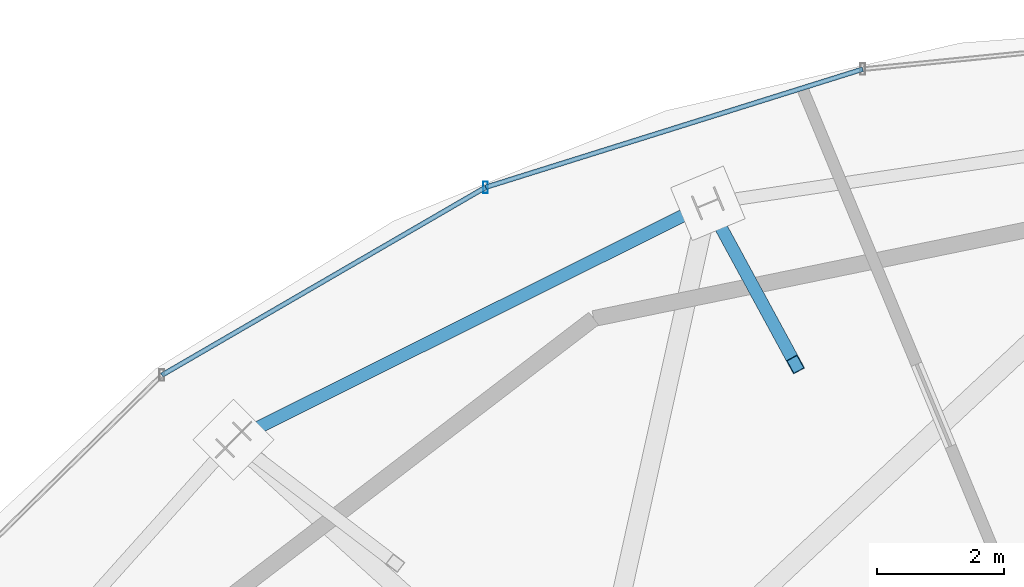
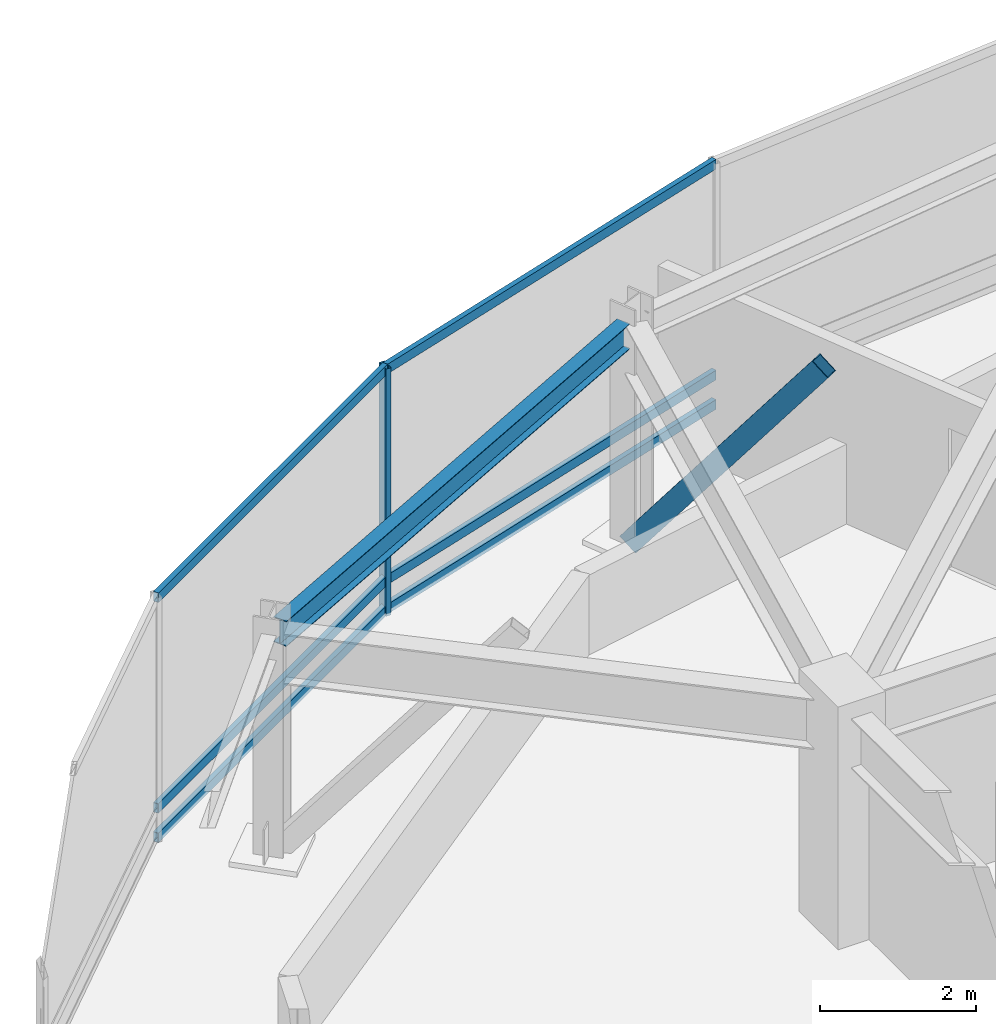
# One storey, part 18 of 28: 8 members, 1 beam, 1 element without a shape of its own.
"""IFC4 building model written with IfcOpenShell, lengths in metres."""

from ifc_helpers import new_model, si_unit, direction, frame, origin, origin_2d, place, context, subcontext, project, spatial, hollow_rectangle, i_section, extrude, material, material_profile, profile_set, type_object, element, aggregate, save


model = new_model("IFC4")

# Units and contexts
model_context = context("Model", 3, precision=1e-05, world=origin(), true_north=direction((0.0, 1.0)))
body_context = subcontext(model_context, "Body", "Model", "MODEL_VIEW")
ifc_project = project(units=[si_unit("LENGTHUNIT", "METRE"), si_unit("AREAUNIT", "SQUARE_METRE"), si_unit("VOLUMEUNIT", "CUBIC_METRE"), si_unit("PLANEANGLEUNIT", "RADIAN"), si_unit("MASSUNIT", "GRAM", prefix="KILO")], contexts=[model_context])

# Site, building, storey
site_placement = place(None, origin())
site = spatial("IfcSite", under=ifc_project, at=site_placement, CompositionType="ELEMENT")
building_placement = place(site_placement, origin())
building = spatial("IfcBuilding", under=site, at=building_placement, Name="Vorneva Point Tower", CompositionType="ELEMENT")
storey_placement = place(building_placement, frame((0.0, 0.0, 295.39990234375)))
storey = spatial("IfcBuildingStorey", under=building, at=storey_placement, Name="C01", CompositionType="ELEMENT", Elevation=295.39990234375)

# Beam
ifc_material_1 = material(Name="Steel S355", Category="steel")
ifc_material_profile_1 = material_profile(ifc_material_1, i_section(OverallWidth=0.198974609375, OverallDepth=0.39599609375, WebThickness=0.007080078125, FlangeThickness=0.010986328125, at=origin_2d()), Name="40B1")
ifc_profile_set_1 = profile_set([ifc_material_profile_1], Name="Steel S355")
beam_type = type_object("IfcBeamType", Name="BM-SPN-40B1", PredefinedType="SPANDREL", material=ifc_profile_set_1)
beam_placement = place(storey_placement, frame((29.013427734375, 41.80810546875, 3.35205078125), z_axis=(-0.894921902151, -0.446222802029, 0.0), x_axis=(0.446222802029, -0.894921902151, 0.0)))
element("IfcBeam", 1, at=beam_placement, inside=storey, type_object=beam_type, Name="C01 Perimeter Spandrel Ring Beam 06", PredefinedType="SPANDREL", context=body_context, shape_type="SweptSolid", body=[
    extrude(i_section(OverallWidth=0.198974609375, OverallDepth=0.39599609375, WebThickness=0.007080078125, FlangeThickness=0.010986328125, at=origin_2d()), origin(), (0.0, 0.0, 1.0), 7.98583984375),
])

# Curtain wall, members
ifc_material_2 = material(Name="Pale anodised aluminium", Category="aluminium")
curtain_wall_type = type_object("IfcCurtainWallType", Name="CW-CRN-SYS", PredefinedType="NOTDEFINED", material=ifc_material_2)
curtain_wall_placement = place(storey_placement, origin())
curtain_wall = element("IfcCurtainWall", 2, at=curtain_wall_placement, inside=storey, type_object=curtain_wall_type, Name="C01 Unitised Curtain Wall CW-C01-Q2", PredefinedType="NOTDEFINED")
ifc_material_profile_2 = material_profile(ifc_material_2, hollow_rectangle(XDim=0.074951171875, YDim=0.179931640625, WallThickness=0.00390625, at=origin_2d()), Name="AL-MUL 180x75x4")
ifc_profile_set_2 = profile_set([ifc_material_profile_2], Name="Pale anodised aluminium")
member_type_1 = type_object("IfcMemberType", Name="CW-MUL-180", PredefinedType="MULLION", material=ifc_profile_set_2)
member_1_placement = place(storey_placement, frame((25.675048828125, 42.142578125, -0.039794921875), z_axis=(0.0, 0.0, 1.0), x_axis=(1.0, 0.0, 0.0)))
member_1 = element("IfcMember", 3, at=member_1_placement, type_object=member_type_1, Name="CW-C01-Q2 Mullion 03", PredefinedType="MULLION", context=body_context, shape_type="SweptSolid", body=[
    extrude(hollow_rectangle(XDim=0.074951171875, YDim=0.179931640625, WallThickness=0.00390625, at=origin_2d()), origin(), (0.0, 0.0, 1.0), 3.869873046875),
])
ifc_material_profile_3 = material_profile(ifc_material_2, hollow_rectangle(XDim=0.074951171875, YDim=0.14990234375, WallThickness=0.00390625, at=origin_2d()), Name="AL-TRN 150x75x4")
ifc_profile_set_3 = profile_set([ifc_material_profile_3], Name="Pale anodised aluminium")
member_type_2 = type_object("IfcMemberType", Name="CW-TRN-150", PredefinedType="USERDEFINED", material=ifc_profile_set_3)
member_2_placement = place(storey_placement, frame((31.6201171875, 44.0048828125, 0.02001953125), z_axis=(-0.954275444767, -0.298928713099, 0.0), x_axis=(0.298928713099, -0.954275444767, 0.0)))
member_2 = element("IfcMember", 4, at=member_2_placement, type_object=member_type_2, Name="CW-C01-Q2 Transom 02.1", ObjectType="TRANSOM", PredefinedType="USERDEFINED", context=body_context, shape_type="SweptSolid", body=[
    extrude(hollow_rectangle(XDim=0.074951171875, YDim=0.14990234375, WallThickness=0.00390625, at=origin_2d()), origin(), (0.0, 0.0, 1.0), 6.22998046875),
])
member_3_placement = place(storey_placement, frame((31.6201171875, 44.0048828125, 0.47998046875), z_axis=(-0.954275444767, -0.298928713099, 0.0), x_axis=(0.298928713099, -0.954275444767, 0.0)))
member_3 = element("IfcMember", 5, at=member_3_placement, type_object=member_type_2, Name="CW-C01-Q2 Transom 02.2", ObjectType="TRANSOM", PredefinedType="USERDEFINED", context=body_context, shape_type="SweptSolid", body=[
    extrude(hollow_rectangle(XDim=0.074951171875, YDim=0.14990234375, WallThickness=0.00390625, at=origin_2d()), origin(), (0.0, 0.0, 1.0), 6.22998046875),
])
member_4_placement = place(storey_placement, frame((31.6201171875, 44.0048828125, 3.780029296875), z_axis=(-0.954275444767, -0.298928713099, 0.0), x_axis=(0.298928713099, -0.954275444767, 0.0)))
member_4 = element("IfcMember", 6, at=member_4_placement, type_object=member_type_2, Name="CW-C01-Q2 Transom 02.3", ObjectType="TRANSOM", PredefinedType="USERDEFINED", context=body_context, shape_type="SweptSolid", body=[
    extrude(hollow_rectangle(XDim=0.074951171875, YDim=0.14990234375, WallThickness=0.00390625, at=origin_2d()), origin(), (0.0, 0.0, 1.0), 6.22998046875),
])
member_5_placement = place(storey_placement, frame((25.675048828125, 42.142578125, 0.02001953125), z_axis=(-0.864948240348, -0.501861077908, 0.0), x_axis=(0.501861077908, -0.864948240348, 0.0)))
member_5 = element("IfcMember", 7, at=member_5_placement, type_object=member_type_2, Name="CW-C01-Q2 Transom 03.1", ObjectType="TRANSOM", PredefinedType="USERDEFINED", context=body_context, shape_type="SweptSolid", body=[
    extrude(hollow_rectangle(XDim=0.074951171875, YDim=0.14990234375, WallThickness=0.00390625, at=origin_2d()), origin(), (0.0, 0.0, 1.0), 5.90234375),
])
member_6_placement = place(storey_placement, frame((25.675048828125, 42.142578125, 0.47998046875), z_axis=(-0.864948240348, -0.501861077908, 0.0), x_axis=(0.501861077908, -0.864948240348, 0.0)))
member_6 = element("IfcMember", 8, at=member_6_placement, type_object=member_type_2, Name="CW-C01-Q2 Transom 03.2", ObjectType="TRANSOM", PredefinedType="USERDEFINED", context=body_context, shape_type="SweptSolid", body=[
    extrude(hollow_rectangle(XDim=0.074951171875, YDim=0.14990234375, WallThickness=0.00390625, at=origin_2d()), origin(), (0.0, 0.0, 1.0), 5.90234375),
])
member_7_placement = place(storey_placement, frame((25.675048828125, 42.142578125, 3.780029296875), z_axis=(-0.864948240348, -0.501861077908, 0.0), x_axis=(0.501861077908, -0.864948240348, 0.0)))
member_7 = element("IfcMember", 9, at=member_7_placement, type_object=member_type_2, Name="CW-C01-Q2 Transom 03.3", ObjectType="TRANSOM", PredefinedType="USERDEFINED", context=body_context, shape_type="SweptSolid", body=[
    extrude(hollow_rectangle(XDim=0.074951171875, YDim=0.14990234375, WallThickness=0.00390625, at=origin_2d()), origin(), (0.0, 0.0, 1.0), 5.90234375),
])
aggregate(curtain_wall, [member_1, member_2, member_3, member_4, member_5, member_6, member_7])

# Member
ifc_material_profile_4 = material_profile(ifc_material_1, hollow_rectangle(XDim=0.199951171875, YDim=0.300048828125, WallThickness=0.011962890625, at=origin_2d()), Name="PP 300x200x12")
ifc_profile_set_4 = profile_set([ifc_material_profile_4], Name="Steel S355")
member_type_3 = type_object("IfcMemberType", Name="MBR-CRN-PP300", PredefinedType="CHORD", material=ifc_profile_set_4)
member_8_placement = place(storey_placement, frame((29.17919921875, 41.890625, 0.0), z_axis=(0.289133296145, -0.532046167938, 0.795819585235), x_axis=(0.878639911504, 0.477484979777, 0.0)))
element("IfcMember", 10, at=member_8_placement, inside=storey, type_object=member_type_3, Name="Crown Tapered Frame Rib C01-06", PredefinedType="CHORD", context=body_context, shape_type="SweptSolid", body=[
    extrude(hollow_rectangle(XDim=0.199951171875, YDim=0.300048828125, WallThickness=0.011962890625, at=origin_2d()), origin(), (0.0, 0.0, 1.0), 4.77490234375),
])

save(model, "model.ifc")
